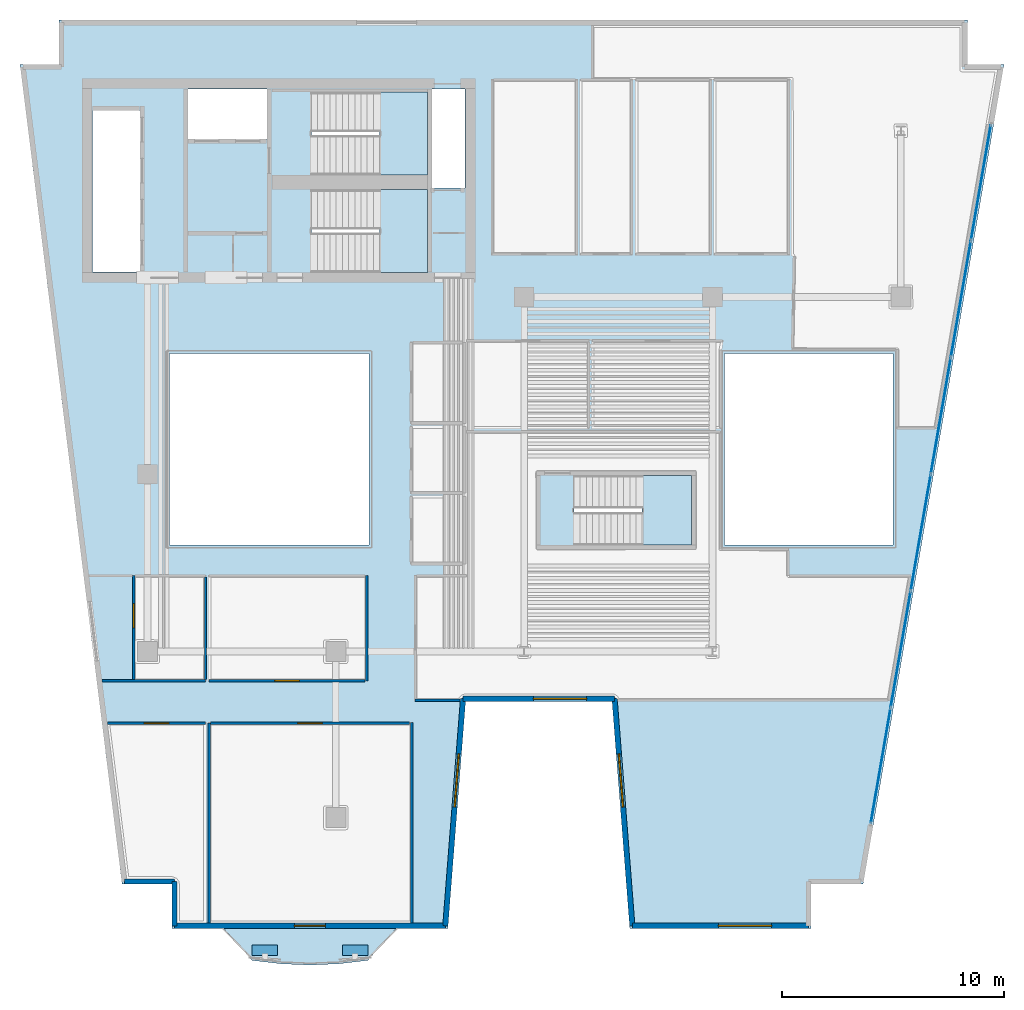
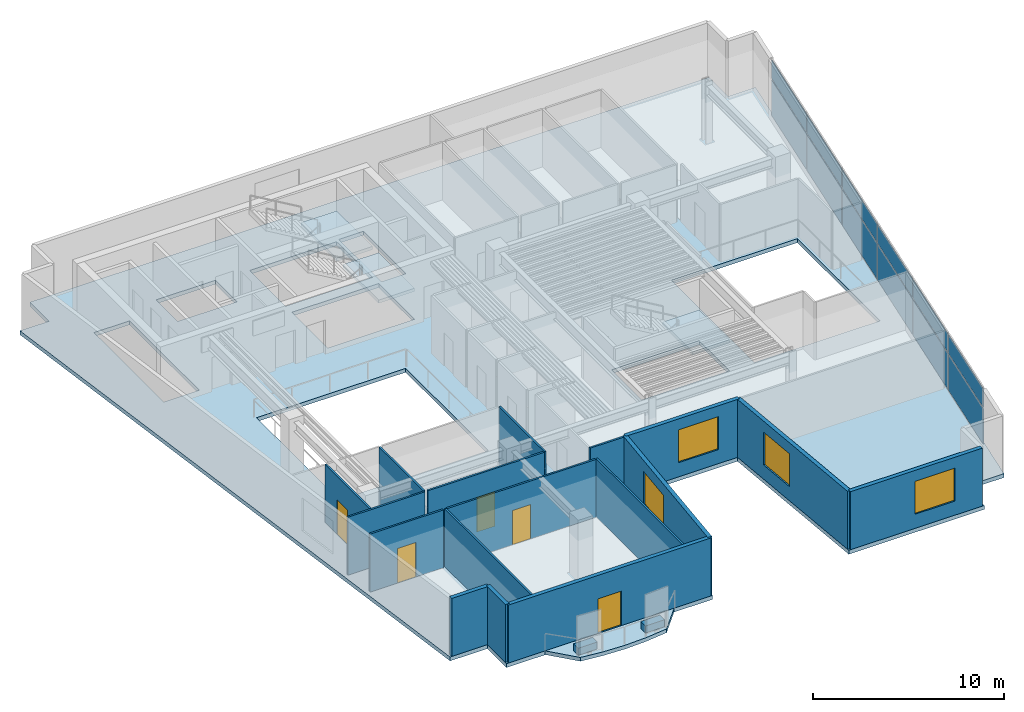
# One storey, part 3 of 9: 17 walls, 14 plates, 5 doors, 5 slabs, 4 windows, 9 openings, 4 elements without a shape of their own.
"""IFC4 building model written with IfcOpenShell, lengths in metres."""

import ifcopenshell
import ifcopenshell.guid

model = None  # the IFC model being written
_history = None  # IfcOwnerHistory: only IFC2X3 demands one
_inside = {}  # id of a spatial element -> (the spatial element, [elements in it])
_under = {}  # id of a project, library or spatial element -> (it, [spatial elements below it])
_declared = {}  # id of a project -> (the project, [libraries it declares])
_typed = {}  # id of a type object -> (the type object, [elements of that type])
_made_of = {}  # id of a material, layer set ... -> (it, [elements and type objects made of it])


def new_model(schema):
    """Start an empty IFC model of exactly this schema.

    Asked for "IFC4X3", IfcOpenShell would pick the latest addendum, in which some entities
    have other attributes; the version numbers below select the first issue.
    IFC2X3 requires an IfcOwnerHistory on every rooted entity: one is made here for all.
    """
    global model, _history
    if schema == "IFC4X3":
        model = ifcopenshell.file(schema_version=(4, 3, 0, 0))
    else:
        model = ifcopenshell.file(schema=schema)
    _inside.clear()
    _under.clear()
    _declared.clear()
    _typed.clear()
    _made_of.clear()
    _history = None
    if model.schema == "IFC2X3":
        org = make("IfcOrganization", Name="unknown")
        user = make(
            "IfcPersonAndOrganization",
            ThePerson=make("IfcPerson", FamilyName="unknown"),
            TheOrganization=org,
        )
        app = make(
            "IfcApplication",
            ApplicationDeveloper=org,
            Version="unknown",
            ApplicationFullName="unknown",
            ApplicationIdentifier="unknown",
        )
        _history = make(
            "IfcOwnerHistory",
            OwningUser=user,
            OwningApplication=app,
            ChangeAction="ADDED",
            CreationDate=0,
        )
    return model


def make(cls, **values):
    """One entity of the class cls with the attributes given. An attribute that is None is left unset."""
    return model.create_entity(
        cls, **{name: value for name, value in values.items() if value is not None}
    )


def rooted(cls, **values):
    """An entity with a GlobalId (a new one), such as an element, a storey or a relation."""
    return make(cls, GlobalId=ifcopenshell.guid.new(), OwnerHistory=_history, **values)


def si_unit(unit_type, name, prefix=None):
    """IfcSIUnit, for example si_unit("LENGTHUNIT", "METRE", prefix="MILLI")."""
    return make("IfcSIUnit", UnitType=unit_type, Prefix=prefix, Name=name)


def assignment(units):
    """IfcUnitAssignment: the units of a project."""
    return None if units is None else make("IfcUnitAssignment", Units=units)


def point(xyz):
    """IfcCartesianPoint."""
    return None if xyz is None else make("IfcCartesianPoint", Coordinates=xyz)


def direction(xyz):
    """IfcDirection."""
    return None if xyz is None else make("IfcDirection", DirectionRatios=xyz)


def frame(location, z_axis=None, x_axis=None):
    """IfcAxis2Placement3D, a coordinate frame: its origin and axes. An axis left out is left unset."""
    return make(
        "IfcAxis2Placement3D",
        Location=point(location),
        Axis=direction(z_axis),
        RefDirection=direction(x_axis),
    )


def frame_2d(location, x_axis=None):
    """IfcAxis2Placement2D, a coordinate frame in the plane: its origin and x axis."""
    return make(
        "IfcAxis2Placement2D", Location=point(location), RefDirection=direction(x_axis)
    )


def origin():
    """The frame at (0, 0, 0) with its axes left unset."""
    return frame((0.0, 0.0, 0.0))


def origin_2d():
    """The frame at (0, 0) in the plane with its x axis left unset."""
    return frame_2d((0.0, 0.0))


def place(relative_to, where):
    """IfcLocalPlacement: puts the frame where relative to a parent placement (None: the world)."""
    return make(
        "IfcLocalPlacement", PlacementRelTo=relative_to, RelativePlacement=where
    )


def context(
    kind, dimensions, precision=None, world=None, true_north=None, identifier=None
):
    """IfcGeometricRepresentationContext, for example the 3D "Model" context."""
    return make(
        "IfcGeometricRepresentationContext",
        ContextIdentifier=identifier,
        ContextType=kind,
        CoordinateSpaceDimension=dimensions,
        Precision=precision,
        WorldCoordinateSystem=world,
        TrueNorth=true_north,
    )


def subcontext(parent, identifier, kind, view, scale=None):
    """IfcGeometricRepresentationSubContext, for example "Body" below "Model"."""
    return make(
        "IfcGeometricRepresentationSubContext",
        ContextIdentifier=identifier,
        ContextType=kind,
        ParentContext=parent,
        TargetScale=scale,
        TargetView=view,
    )


def project(units=None, contexts=None):
    """IfcProject with its units and contexts."""
    return rooted(
        "IfcProject",
        Name="project",
        RepresentationContexts=contexts,
        UnitsInContext=assignment(units),
    )


def spatial(cls, under=None, at=None, **own):
    """A site, building, storey or space (cls), placed at a placement, below another one or the project."""
    s = rooted(cls, ObjectPlacement=at, **own)
    if under is not None:
        _under.setdefault(under.id(), (under, []))[1].append(s)
    return s


def polyline(points):
    """IfcPolyline through the points."""
    return make("IfcPolyline", Points=[point(p) for p in points])


def profile(cls, at=None, kind="AREA", **sizes):
    """A parametric profile (cls). Its sizes go by their IFC names, for example OverallWidth=200.0."""
    return make(cls, ProfileType=kind, Position=at, **sizes)


def rectangle(**sizes):
    """IfcRectangleProfileDef."""
    return profile("IfcRectangleProfileDef", **sizes)


def outline(outer, holes=None, kind="AREA"):
    """IfcArbitraryClosedProfileDef: a profile drawn as a closed curve; with holes, ...WithVoids."""
    if holes is None:
        return make("IfcArbitraryClosedProfileDef", ProfileType=kind, OuterCurve=outer)
    return make(
        "IfcArbitraryProfileDefWithVoids",
        ProfileType=kind,
        OuterCurve=outer,
        InnerCurves=holes,
    )


def extrude(swept, where, along, depth):
    """IfcExtrudedAreaSolid: the profile swept, set in the frame where, extruded along a direction by depth."""
    return make(
        "IfcExtrudedAreaSolid",
        SweptArea=swept,
        Position=where,
        ExtrudedDirection=direction(along),
        Depth=depth,
    )


def shape(context_of_items, identifier, shape_type, items):
    """IfcShapeRepresentation: the items that make up one representation, for example the "Body"."""
    return make(
        "IfcShapeRepresentation",
        ContextOfItems=context_of_items,
        RepresentationIdentifier=identifier,
        RepresentationType=shape_type,
        Items=items,
    )


def material(Name=None, Category=None):
    """IfcMaterial."""
    return make("IfcMaterial", Name=Name, Category=Category)


def layer(
    of_material, thickness, ventilated=None, Name=None, Category=None, Priority=None
):
    """IfcMaterialLayer: one layer of a wall or slab, of a material (None: an air gap)."""
    return make(
        "IfcMaterialLayer",
        Material=of_material,
        LayerThickness=thickness,
        IsVentilated=ventilated,
        Name=Name,
        Category=Category,
        Priority=Priority,
    )


def layer_set(layers, Name=None):
    """IfcMaterialLayerSet."""
    return make("IfcMaterialLayerSet", MaterialLayers=layers, LayerSetName=Name)


def made_of(thing, what):
    """Note that an element or type object is made of a material, layer set ...; save() writes the relation."""
    if what is not None:
        _made_of.setdefault(what.id(), (what, []))[1].append(thing)
    return thing


def type_object(cls, material=None, **own):
    """A type object (cls), such as IfcWallType, which elements share."""
    return made_of(rooted(cls, **own), material)


def element(
    cls,
    number,
    at=None,
    inside=None,
    cuts=None,
    type_object=None,
    material=None,
    context=None,
    identifier="Body",
    shape_type=None,
    held_by="IfcProductDefinitionShape",
    body=None,
    shapes=None,
    **own,
):
    """One element of the class cls, such as IfcWall. Its Tag is "e" and its number.

    at: its placement. inside: the storey or other place that contains it. cuts: it is an
    opening in that element (IfcRelVoidsElement). A single representation is given by context,
    identifier, shape_type and body (its items); several are given by shapes. held_by: the class
    of the entity that holds the representations. save() writes the other relations.
    """
    e = rooted(cls, Tag="e%d" % number, ObjectPlacement=at, **own)
    if body is not None:
        shapes = [shape(context, identifier, shape_type, body)]
    if shapes is not None:
        e.Representation = make(held_by, Representations=shapes)
    if inside is not None:
        _inside.setdefault(inside.id(), (inside, []))[1].append(e)
    if cuts is not None:
        rooted(
            "IfcRelVoidsElement", RelatingBuildingElement=cuts, RelatedOpeningElement=e
        )
    if type_object is not None:
        _typed.setdefault(type_object.id(), (type_object, []))[1].append(e)
    return made_of(e, material)


def fill(opening, filler):
    """IfcRelFillsElement: the door or window that sits in an opening."""
    return rooted(
        "IfcRelFillsElement",
        RelatingOpeningElement=opening,
        RelatedBuildingElement=filler,
    )


def aggregate(whole, parts):
    """IfcRelAggregates: a whole, such as a stair, and the parts it consists of."""
    return rooted("IfcRelAggregates", RelatingObject=whole, RelatedObjects=parts)


def save(model, path):
    """Write the relations noted so far, then the file.

    IfcRelAggregates (storeys below a building ...), IfcRelContainedInSpatialStructure (elements
    in a storey), IfcRelDefinesByType, IfcRelAssociatesMaterial and IfcRelDeclares: one each for
    every whole, place, type object, material and project.
    """
    for whole, parts in _under.values():
        aggregate(whole, parts)
    for where, things in _inside.values():
        rooted(
            "IfcRelContainedInSpatialStructure",
            RelatedElements=things,
            RelatingStructure=where,
        )
    for kind, things in _typed.values():
        rooted("IfcRelDefinesByType", RelatedObjects=things, RelatingType=kind)
    for what, things in _made_of.values():
        rooted("IfcRelAssociatesMaterial", RelatedObjects=things, RelatingMaterial=what)
    for by, libraries in _declared.values():
        rooted("IfcRelDeclares", RelatingContext=by, RelatedDefinitions=libraries)
    model.write(path)


model = new_model("IFC4")

# Units and contexts
model_context = context("Model", 3, precision=1e-05, world=origin(), true_north=direction((0.0, 1.0)))
body_context = subcontext(model_context, "Body", "Model", "MODEL_VIEW")
ifc_project = project(units=[si_unit("LENGTHUNIT", "METRE"), si_unit("AREAUNIT", "SQUARE_METRE"), si_unit("VOLUMEUNIT", "CUBIC_METRE"), si_unit("PLANEANGLEUNIT", "RADIAN"), si_unit("MASSUNIT", "GRAM", prefix="KILO")], contexts=[model_context])

# Site, building, storey
site_placement = place(None, origin())
site = spatial("IfcSite", under=ifc_project, at=site_placement, CompositionType="ELEMENT")
building_placement = place(site_placement, origin())
building = spatial("IfcBuilding", under=site, at=building_placement, Name="Caeloran Harvest Quay", CompositionType="ELEMENT")
storey_placement = place(building_placement, frame((0.0, 0.0, 207.449951171875)))
storey = spatial("IfcBuildingStorey", under=building, at=storey_placement, Name="L49", CompositionType="ELEMENT", Elevation=207.449951171875)

# Slab
ifc_material_1 = material(Name="Concrete C50/60", Category="concrete")
ifc_layer_1 = layer(ifc_material_1, 0.239990234375, Name="Concrete C50/60")
ifc_layer_set_1 = layer_set([ifc_layer_1], Name="Concrete C50/60")
slab_type_1 = type_object("IfcSlabType", Name="BALCONY-BL-240", PredefinedType="FLOOR", material=ifc_layer_set_1)
slab_1_placement = place(storey_placement, frame((0.0, 0.0, -0.239990234375)))
element("IfcSlab", 1, at=slab_1_placement, inside=storey, type_object=slab_type_1, Name="L49 Scalloped Cantilevered Planted Balcony Slab", PredefinedType="FLOOR", context=body_context, shape_type="SweptSolid", body=[
    extrude(outline(polyline([(18.442138671875, 1.060546875), (17.13818359375, 0.906982421875), (15.83447265625, 0.85107421875), (14.53076171875, 0.906982421875), (13.226806640625, 1.060546875), (11.94091796875, 2.5), (19.72802734375, 2.5), (18.442138671875, 1.060546875)])), origin(), (0.0, 0.0, 1.0), 0.239990234375),
])

# Curtain wall, plates
ifc_material_2 = material(Name="Aluminium 6063-T6 and Low-E Glazing", Category="aluminium")
ifc_layer_2 = layer(ifc_material_2, 0.2099609375, Name="Aluminium 6063-T6 and Low-E Glazing")
ifc_layer_set_2 = layer_set([ifc_layer_2], Name="Aluminium 6063-T6 and Low-E Glazing")
curtain_wall_type = type_object("IfcCurtainWallType", Name="CW-SYS-CW-4", PredefinedType="USERDEFINED", material=ifc_layer_set_2)
curtain_wall_placement = place(storey_placement, origin())
curtain_wall = element("IfcCurtainWall", 2, at=curtain_wall_placement, inside=storey, type_object=curtain_wall_type, Name="L49 Unitised Curtain Wall CW-4 Run 9", ObjectType="CURTAIN_WALL", PredefinedType="USERDEFINED")
ifc_material_3 = material(Name="Low-E Double Glazed Vision Glass Unit", Category="glass")
ifc_layer_3 = layer(ifc_material_3, 0.035888671875, Name="Low-E Double Glazed Vision Glass Unit")
ifc_layer_set_3 = layer_set([ifc_layer_3], Name="Low-E Double Glazed Vision Glass Unit")
plate_type_1 = type_object("IfcPlateType", Name="CW-VISION-PANEL", PredefinedType="CURTAIN_PANEL", material=ifc_layer_set_3)
plate_1_placement = place(storey_placement, frame((46.116943359375, 36.16162109375, 0.080078125), z_axis=(0.0, 0.0, 1.0), x_axis=(-0.169391215605, -0.985548890759, 0.0)))
plate_1 = element("IfcPlate", 3, at=plate_1_placement, type_object=plate_type_1, Name="CW-4 panel 1.1", PredefinedType="CURTAIN_PANEL", context=body_context, shape_type="SweptSolid", body=[
    extrude(rectangle(XDim=5.229736328125, YDim=0.035888671875, at=origin_2d()), origin(), (0.0, 0.0, 1.0), 2.280029296875),
])
plate_2_placement = place(storey_placement, frame((46.116943359375, 36.16162109375, 2.43994140625), z_axis=(0.0, 0.0, 1.0), x_axis=(-0.169391215605, -0.985548890759, 0.0)))
plate_2 = element("IfcPlate", 4, at=plate_2_placement, type_object=plate_type_1, Name="CW-4 panel 1.2", PredefinedType="CURTAIN_PANEL", context=body_context, shape_type="SweptSolid", body=[
    extrude(rectangle(XDim=5.229736328125, YDim=0.035888671875, at=origin_2d()), origin(), (0.0, 0.0, 1.0), 1.179931640625),
])
plate_3_placement = place(storey_placement, frame((45.214111328125, 30.90869140625, 0.080078125), z_axis=(0.0, 0.0, 1.0), x_axis=(-0.169391215605, -0.985548890759, 0.0)))
plate_3 = element("IfcPlate", 5, at=plate_3_placement, type_object=plate_type_1, Name="CW-4 panel 2.1", PredefinedType="CURTAIN_PANEL", context=body_context, shape_type="SweptSolid", body=[
    extrude(rectangle(XDim=5.269775390625, YDim=0.035888671875, at=origin_2d()), origin(), (0.0, 0.0, 1.0), 2.280029296875),
])
plate_4_placement = place(storey_placement, frame((45.214111328125, 30.90869140625, 2.43994140625), z_axis=(0.0, 0.0, 1.0), x_axis=(-0.169391215605, -0.985548890759, 0.0)))
plate_4 = element("IfcPlate", 6, at=plate_4_placement, type_object=plate_type_1, Name="CW-4 panel 2.2", PredefinedType="CURTAIN_PANEL", context=body_context, shape_type="SweptSolid", body=[
    extrude(rectangle(XDim=5.269775390625, YDim=0.035888671875, at=origin_2d()), origin(), (0.0, 0.0, 1.0), 1.179931640625),
])
plate_5_placement = place(storey_placement, frame((44.307861328125, 25.63623046875, 0.080078125), z_axis=(0.0, 0.0, 1.0), x_axis=(-0.169391215605, -0.985548890759, 0.0)))
plate_5 = element("IfcPlate", 7, at=plate_5_placement, type_object=plate_type_1, Name="CW-4 panel 3.1", PredefinedType="CURTAIN_PANEL", context=body_context, shape_type="SweptSolid", body=[
    extrude(rectangle(XDim=5.269775390625, YDim=0.035888671875, at=origin_2d()), origin(), (0.0, 0.0, 1.0), 2.280029296875),
])
plate_6_placement = place(storey_placement, frame((44.307861328125, 25.63623046875, 2.43994140625), z_axis=(0.0, 0.0, 1.0), x_axis=(-0.169391215605, -0.985548890759, 0.0)))
plate_6 = element("IfcPlate", 8, at=plate_6_placement, type_object=plate_type_1, Name="CW-4 panel 3.2", PredefinedType="CURTAIN_PANEL", context=body_context, shape_type="SweptSolid", body=[
    extrude(rectangle(XDim=5.269775390625, YDim=0.035888671875, at=origin_2d()), origin(), (0.0, 0.0, 1.0), 1.179931640625),
])
plate_7_placement = place(storey_placement, frame((43.401611328125, 20.36376953125, 0.080078125), z_axis=(0.0, 0.0, 1.0), x_axis=(-0.169391215605, -0.985548890759, 0.0)))
plate_7 = element("IfcPlate", 9, at=plate_7_placement, type_object=plate_type_1, Name="CW-4 panel 4.1", PredefinedType="CURTAIN_PANEL", context=body_context, shape_type="SweptSolid", body=[
    extrude(rectangle(XDim=5.269775390625, YDim=0.035888671875, at=origin_2d()), origin(), (0.0, 0.0, 1.0), 2.280029296875),
])
plate_8_placement = place(storey_placement, frame((43.401611328125, 20.36376953125, 2.43994140625), z_axis=(0.0, 0.0, 1.0), x_axis=(-0.169391215605, -0.985548890759, 0.0)))
plate_8 = element("IfcPlate", 10, at=plate_8_placement, type_object=plate_type_1, Name="CW-4 panel 4.2", PredefinedType="CURTAIN_PANEL", context=body_context, shape_type="SweptSolid", body=[
    extrude(rectangle(XDim=5.269775390625, YDim=0.035888671875, at=origin_2d()), origin(), (0.0, 0.0, 1.0), 1.179931640625),
])
plate_9_placement = place(storey_placement, frame((42.495361328125, 15.09130859375, 0.080078125), z_axis=(0.0, 0.0, 1.0), x_axis=(-0.169391215605, -0.985548890759, 0.0)))
plate_9 = element("IfcPlate", 11, at=plate_9_placement, type_object=plate_type_1, Name="CW-4 panel 5.1", PredefinedType="CURTAIN_PANEL", context=body_context, shape_type="SweptSolid", body=[
    extrude(rectangle(XDim=5.269775390625, YDim=0.035888671875, at=origin_2d()), origin(), (0.0, 0.0, 1.0), 2.280029296875),
])
plate_10_placement = place(storey_placement, frame((42.495361328125, 15.09130859375, 2.43994140625), z_axis=(0.0, 0.0, 1.0), x_axis=(-0.169391215605, -0.985548890759, 0.0)))
plate_10 = element("IfcPlate", 12, at=plate_10_placement, type_object=plate_type_1, Name="CW-4 panel 5.2", PredefinedType="CURTAIN_PANEL", context=body_context, shape_type="SweptSolid", body=[
    extrude(rectangle(XDim=5.269775390625, YDim=0.035888671875, at=origin_2d()), origin(), (0.0, 0.0, 1.0), 1.179931640625),
])
plate_11_placement = place(storey_placement, frame((41.592529296875, 9.83837890625, 0.080078125), z_axis=(0.0, 0.0, 1.0), x_axis=(-0.169391215605, -0.985548890759, 0.0)))
plate_11 = element("IfcPlate", 13, at=plate_11_placement, type_object=plate_type_1, Name="CW-4 panel 6.1", PredefinedType="CURTAIN_PANEL", context=body_context, shape_type="SweptSolid", body=[
    extrude(rectangle(XDim=5.229736328125, YDim=0.035888671875, at=origin_2d()), origin(), (0.0, 0.0, 1.0), 2.280029296875),
])
plate_12_placement = place(storey_placement, frame((41.592529296875, 9.83837890625, 2.43994140625), z_axis=(0.0, 0.0, 1.0), x_axis=(-0.169391215605, -0.985548890759, 0.0)))
plate_12 = element("IfcPlate", 14, at=plate_12_placement, type_object=plate_type_1, Name="CW-4 panel 6.2", PredefinedType="CURTAIN_PANEL", context=body_context, shape_type="SweptSolid", body=[
    extrude(rectangle(XDim=5.229736328125, YDim=0.035888671875, at=origin_2d()), origin(), (0.0, 0.0, 1.0), 1.179931640625),
])
aggregate(curtain_wall, [plate_1, plate_2, plate_3, plate_4, plate_5, plate_6, plate_7, plate_8, plate_9, plate_10, plate_11, plate_12])

# Plates
ifc_material_4 = material(Name="Precast concrete C50/60", Category="concrete")
ifc_layer_4 = layer(ifc_material_4, 0.449951171875, Name="Precast concrete C50/60")
ifc_layer_set_4 = layer_set([ifc_layer_4], Name="Precast concrete C50/60")
plate_type_2 = type_object("IfcPlateType", Name="PLANTER-TROUGH-450", PredefinedType="USERDEFINED", material=ifc_layer_set_4)
for number, where, z_axis, x_axis, name in (
    (15, (17.868408203125, 1.523193359375, 0.0), (0.0, 0.0, 1.0), (1.0, 0.0, 0.0), "L49 Balcony Vertical-Greenery Precast PLANTER Trough 1"),
    (16, (13.800537109375, 1.523193359375, 0.0), (0.0, 0.0, 1.0), (1.0, 0.0, 0.0), "L49 Balcony Vertical-Greenery Precast PLANTER Trough 2"),
):
    element("IfcPlate", number, at=place(storey_placement, frame(where, z_axis=z_axis, x_axis=x_axis)), inside=storey, type_object=plate_type_2, Name=name, ObjectType="PLANTER", PredefinedType="USERDEFINED", context=body_context, shape_type="SweptSolid", body=[
        extrude(rectangle(XDim=1.14990234375, YDim=0.47998046875, at=origin_2d()), origin(), (0.0, 0.0, 1.0), 0.449951171875),
    ])

# Slab
ifc_layer_5 = layer(ifc_material_1, 0.25, Name="Concrete C50/60")
ifc_layer_set_5 = layer_set([ifc_layer_5], Name="Concrete C50/60")
slab_type_2 = type_object("IfcSlabType", Name="SLAB-FS-250", PredefinedType="FLOOR", material=ifc_layer_set_5)
slab_2_placement = place(storey_placement, frame((0.0, 0.0, -0.25)))
element("IfcSlab", 17, at=slab_2_placement, inside=storey, type_object=slab_type_2, Name="L49 Structural Floor Slab", PredefinedType="FLOOR", context=body_context, shape_type="SweptSolid", body=[
    extrude(outline(polyline([(9.60302734375, 2.5), (22.056884765625, 2.5), (22.85693359375, 12.75), (29.469482421875, 12.75), (30.26953125, 2.5), (38.452880859375, 2.5), (38.452880859375, 4.5), (40.796875, 4.5), (47.15625, 41.5), (45.5, 41.5), (45.5, 43.5), (4.5, 43.5), (4.5, 41.5), (2.748779296875, 41.5), (7.35400390625, 4.5), (9.60302734375, 4.5), (9.60302734375, 2.5)]), holes=[polyline([(27.75, 19.800048828125), (27.75, 22.949951171875), (33.050048828125, 22.949951171875), (33.050048828125, 19.800048828125), (27.75, 19.800048828125)]), polyline([(18.5, 19.800048828125), (9.5, 19.800048828125), (9.5, 28.449951171875), (18.5, 28.449951171875), (18.5, 19.800048828125)]), polyline([(42.14990234375, 19.800048828125), (34.550048828125, 19.800048828125), (34.550048828125, 28.449951171875), (42.14990234375, 28.449951171875), (42.14990234375, 19.800048828125)]), polyline([(15.89990234375, 32.10009765625), (15.89990234375, 35.85009765625), (21.14990234375, 35.85009765625), (21.14990234375, 32.10009765625), (15.89990234375, 32.10009765625)]), polyline([(8.159912109375, 32.1201171875), (6.02001953125, 32.1201171875), (6.02001953125, 39.419921875), (8.159912109375, 39.419921875), (8.159912109375, 32.1201171875)]), polyline([(22.830078125, 35.919921875), (21.35009765625, 35.919921875), (21.35009765625, 40.3798828125), (22.830078125, 40.3798828125), (22.830078125, 35.919921875)]), polyline([(15.89990234375, 36.5), (15.89990234375, 40.25), (21.14990234375, 40.25), (21.14990234375, 36.5), (15.89990234375, 36.5)]), polyline([(13.89990234375, 38.1201171875), (10.320068359375, 38.1201171875), (10.320068359375, 40.3798828125), (13.89990234375, 40.3798828125), (13.89990234375, 38.1201171875)])]), origin(), (0.0, 0.0, 1.0), 0.25),
])

# Stair, slab
stair_type_1 = type_object("IfcStairType", Name="STAIR-STC-180", PredefinedType="HALF_TURN_STAIR", material=ifc_material_1)
stair_1_placement = place(storey_placement, origin())
stair_1 = element("IfcStair", 18, at=stair_1_placement, inside=storey, type_object=stair_type_1, Name="L49 Core Pressurized Exit Stair ST-C1", PredefinedType="HALF_TURN_STAIR")
ifc_layer_6 = layer(ifc_material_1, 0.219970703125, Name="Concrete C50/60")
ifc_layer_set_6 = layer_set([ifc_layer_6], Name="Concrete C50/60")
slab_type_3 = type_object("IfcSlabType", Name="STAIR-LANDING-220", PredefinedType="LANDING", material=ifc_layer_set_6)
slab_3_placement = place(storey_placement, frame((0.0, 0.0, 1.775146484375)))
slab_3 = element("IfcSlab", 19, at=slab_3_placement, type_object=slab_type_3, Name="ST-C1 landing 1", PredefinedType="LANDING", context=body_context, shape_type="SweptSolid", body=[
    extrude(outline(polyline([(18.97998046875, 36.5), (21.14990234375, 36.5), (21.14990234375, 40.25), (18.97998046875, 40.25), (18.97998046875, 36.5)])), origin(), (0.0, 0.0, 1.0), 0.199951171875),
])
aggregate(stair_1, [slab_3])

stair_2_placement = place(storey_placement, origin())
stair_2 = element("IfcStair", 20, at=stair_2_placement, inside=storey, type_object=stair_type_1, Name="L49 Core Pressurized Exit Stair ST-C2", PredefinedType="HALF_TURN_STAIR")
slab_4_placement = place(storey_placement, frame((0.0, 0.0, 1.775146484375)))
slab_4 = element("IfcSlab", 21, at=slab_4_placement, type_object=slab_type_3, Name="ST-C2 landing 1", PredefinedType="LANDING", context=body_context, shape_type="SweptSolid", body=[
    extrude(outline(polyline([(18.97998046875, 32.10009765625), (21.14990234375, 32.10009765625), (21.14990234375, 35.85009765625), (18.97998046875, 35.85009765625), (18.97998046875, 32.10009765625)])), origin(), (0.0, 0.0, 1.0), 0.199951171875),
])
aggregate(stair_2, [slab_4])

stair_type_2 = type_object("IfcStairType", Name="STAIR-STW-150", PredefinedType="HALF_TURN_STAIR", material=ifc_material_1)
stair_3_placement = place(storey_placement, origin())
stair_3 = element("IfcStair", 22, at=stair_3_placement, inside=storey, type_object=stair_type_2, Name="L49 East Wing Protected Exit Stair ST-W1", PredefinedType="HALF_TURN_STAIR")
slab_5_placement = place(storey_placement, frame((0.0, 0.0, 1.775146484375)))
slab_5 = element("IfcSlab", 23, at=slab_5_placement, type_object=slab_type_3, Name="ST-W1 landing 1", PredefinedType="LANDING", context=body_context, shape_type="SweptSolid", body=[
    extrude(outline(polyline([(30.830078125, 19.800048828125), (33.050048828125, 19.800048828125), (33.050048828125, 22.949951171875), (30.830078125, 22.949951171875), (30.830078125, 19.800048828125)])), origin(), (0.0, 0.0, 1.0), 0.199951171875),
])
aggregate(stair_3, [slab_5])

# Walls
ifc_layer_7 = layer(ifc_material_4, 0.239990234375, Name="Precast concrete C50/60")
ifc_layer_set_7 = layer_set([ifc_layer_7], Name="Precast concrete C50/60")
wall_type_1 = type_object("IfcWallType", Name="ENV-WALL-EW-240", PredefinedType="STANDARD", material=ifc_layer_set_7)
wall_1_placement = place(storey_placement, frame((9.722900390625, 2.6201171875, 0.0), z_axis=(0.0, 0.0, 1.0), x_axis=(0.0, 1.0, 0.0)))
element("IfcWall", 24, at=wall_1_placement, inside=storey, type_object=wall_type_1, Name="L49 Exterior Precast Concrete Facade Wall 1", PredefinedType="STANDARD", context=body_context, shape_type="SweptSolid", body=[
    extrude(rectangle(XDim=2.0, YDim=0.239990234375, at=frame_2d((1.0, 0.0))), origin(), (0.0, 0.0, 1.0), 3.699951171875),
])
wall_2_placement = place(storey_placement, frame((9.722900390625, 4.6201171875, 0.0), z_axis=(0.0, 0.0, 1.0), x_axis=(-1.0, 0.0, 0.0)))
element("IfcWall", 25, at=wall_2_placement, inside=storey, type_object=wall_type_1, Name="L49 Exterior Precast Concrete Facade Wall 2", PredefinedType="STANDARD", context=body_context, shape_type="SweptSolid", body=[
    extrude(rectangle(XDim=2.2626953125, YDim=0.239990234375, at=frame_2d((1.13134765625, 0.0))), origin(), (0.0, 0.0, 1.0), 3.699951171875),
])

# Wall, opening, window
wall_3_placement = place(storey_placement, frame((38.3330078125, 2.6201171875, 0.0), z_axis=(0.0, 0.0, 1.0), x_axis=(-1.0, 0.0, 0.0)))
wall_3 = element("IfcWall", 26, at=wall_3_placement, inside=storey, type_object=wall_type_1, Name="L49 Exterior Precast Concrete Facade Wall 12", PredefinedType="STANDARD", context=body_context, shape_type="SweptSolid", body=[
    extrude(rectangle(XDim=7.952392578125, YDim=0.239990234375, at=frame_2d((3.97607421875, 0.0))), origin(), (0.0, 0.0, 1.0), 3.699951171875),
])
opening_1_placement = place(wall_3_placement, frame((1.6630859375, 0.0, 0.89990234375)))
opening_1 = element("IfcOpeningElement", 27, at=opening_1_placement, cuts=wall_3, Name="Opening W-02", PredefinedType="OPENING", context=body_context, shape_type="SweptSolid", body=[
    extrude(rectangle(XDim=2.39990234375, YDim=2.10009765625, at=frame_2d((1.199951171875, 1.050048828125))), frame((0.0, 0.1298828125, 0.0), z_axis=(0.0, -1.0, 0.0), x_axis=(1.0, 0.0, 0.0)), (0.0, 0.0, 1.0), 0.260009765625),
])
ifc_material_5 = material(Name="Aluminium-Framed Low-E Laminated Glass", Category="aluminium")
window_type = type_object("IfcWindowType", Name="WIN-W-02", PartitioningType="DOUBLE_PANEL_VERTICAL", PredefinedType="WINDOW", material=ifc_material_5)
window_1_placement = place(opening_1_placement, origin())
window_1 = element("IfcWindow", 28, at=window_1_placement, inside=storey, type_object=window_type, Name="L49 Facade Punched Window W-02", OverallHeight=2.10009765625, OverallWidth=2.39990234375, PartitioningType="DOUBLE_PANEL_VERTICAL", PredefinedType="WINDOW", context=body_context, shape_type="SweptSolid", body=[
    extrude(rectangle(XDim=2.39990234375, YDim=2.10009765625, at=frame_2d((1.199951171875, 1.050048828125))), frame((0.0, 0.030029296875, 0.0), z_axis=(0.0, -1.0, 0.0), x_axis=(1.0, 0.0, 0.0)), (0.0, 0.0, 1.0), 0.06005859375),
])
fill(opening_1, window_1)

wall_4_placement = place(storey_placement, frame((30.380615234375, 2.6201171875, 0.0), z_axis=(0.0, 0.0, 1.0), x_axis=(-0.077816860153, 0.996967670627, 0.0)))
wall_4 = element("IfcWall", 29, at=wall_4_placement, inside=storey, type_object=wall_type_1, Name="L49 Exterior Precast Concrete Facade Wall 13", PredefinedType="STANDARD", context=body_context, shape_type="SweptSolid", body=[
    extrude(rectangle(XDim=10.28125, YDim=0.239990234375, at=frame_2d((5.140625, 0.0))), origin(), (0.0, 0.0, 1.0), 3.699951171875),
])
opening_2_placement = place(wall_4_placement, frame((5.3798828125, 0.0, 0.89990234375)))
opening_2 = element("IfcOpeningElement", 30, at=opening_2_placement, cuts=wall_4, Name="Opening W-02", PredefinedType="OPENING", context=body_context, shape_type="SweptSolid", body=[
    extrude(rectangle(XDim=2.39990234375, YDim=2.10009765625, at=frame_2d((1.199951171875, 1.050048828125))), frame((0.0, 0.1298828125, 0.0), z_axis=(0.0, -1.0, 0.0), x_axis=(1.0, 0.0, 0.0)), (0.0, 0.0, 1.0), 0.260009765625),
])
window_2_placement = place(opening_2_placement, origin())
window_2 = element("IfcWindow", 31, at=window_2_placement, inside=storey, type_object=window_type, Name="L49 Facade Punched Window W-02", OverallHeight=2.10009765625, OverallWidth=2.39990234375, PartitioningType="DOUBLE_PANEL_VERTICAL", PredefinedType="WINDOW", context=body_context, shape_type="SweptSolid", body=[
    extrude(rectangle(XDim=2.39990234375, YDim=2.10009765625, at=frame_2d((1.199951171875, 1.050048828125))), frame((0.0, 0.030029296875, 0.0), z_axis=(0.0, -1.0, 0.0), x_axis=(1.0, 0.0, 0.0)), (0.0, 0.0, 1.0), 0.06005859375),
])
fill(opening_2, window_2)

wall_5_placement = place(storey_placement, frame((29.58056640625, 12.8701171875, 0.0), z_axis=(0.0, 0.0, 1.0), x_axis=(-1.0, 0.0, 0.0)))
wall_5 = element("IfcWall", 32, at=wall_5_placement, inside=storey, type_object=wall_type_1, Name="L49 Exterior Precast Concrete Facade Wall 14", PredefinedType="STANDARD", context=body_context, shape_type="SweptSolid", body=[
    extrude(rectangle(XDim=6.83447265625, YDim=0.239990234375, at=frame_2d((3.417236328125, 0.0))), origin(), (0.0, 0.0, 1.0), 3.699951171875),
])
opening_3_placement = place(wall_5_placement, frame((1.260009765625, 0.0, 0.89990234375)))
opening_3 = element("IfcOpeningElement", 33, at=opening_3_placement, cuts=wall_5, Name="Opening W-02", PredefinedType="OPENING", context=body_context, shape_type="SweptSolid", body=[
    extrude(rectangle(XDim=2.39990234375, YDim=2.10009765625, at=frame_2d((1.199951171875, 1.050048828125))), frame((0.0, 0.1298828125, 0.0), z_axis=(0.0, -1.0, 0.0), x_axis=(1.0, 0.0, 0.0)), (0.0, 0.0, 1.0), 0.260009765625),
])
window_3_placement = place(opening_3_placement, origin())
window_3 = element("IfcWindow", 34, at=window_3_placement, inside=storey, type_object=window_type, Name="L49 Facade Punched Window W-02", OverallHeight=2.10009765625, OverallWidth=2.39990234375, PartitioningType="DOUBLE_PANEL_VERTICAL", PredefinedType="WINDOW", context=body_context, shape_type="SweptSolid", body=[
    extrude(rectangle(XDim=2.39990234375, YDim=2.10009765625, at=frame_2d((1.199951171875, 1.050048828125))), frame((0.0, 0.030029296875, 0.0), z_axis=(0.0, -1.0, 0.0), x_axis=(1.0, 0.0, 0.0)), (0.0, 0.0, 1.0), 0.06005859375),
])
fill(opening_3, window_3)

wall_6_placement = place(storey_placement, frame((22.74609375, 12.8701171875, 0.0), z_axis=(0.0, 0.0, 1.0), x_axis=(-0.077816860153, -0.996967670627, 0.0)))
wall_6 = element("IfcWall", 35, at=wall_6_placement, inside=storey, type_object=wall_type_1, Name="L49 Exterior Precast Concrete Facade Wall 15", PredefinedType="STANDARD", context=body_context, shape_type="SweptSolid", body=[
    extrude(rectangle(XDim=10.28125, YDim=0.239990234375, at=frame_2d((5.140625, 0.0))), origin(), (0.0, 0.0, 1.0), 3.699951171875),
])
opening_4_placement = place(wall_6_placement, frame((2.5009765625, 0.0, 0.89990234375)))
opening_4 = element("IfcOpeningElement", 36, at=opening_4_placement, cuts=wall_6, Name="Opening W-02", PredefinedType="OPENING", context=body_context, shape_type="SweptSolid", body=[
    extrude(rectangle(XDim=2.39990234375, YDim=2.10009765625, at=frame_2d((1.199951171875, 1.050048828125))), frame((0.0, 0.1298828125, 0.0), z_axis=(0.0, -1.0, 0.0), x_axis=(1.0, 0.0, 0.0)), (0.0, 0.0, 1.0), 0.260009765625),
])
window_4_placement = place(opening_4_placement, origin())
window_4 = element("IfcWindow", 37, at=window_4_placement, inside=storey, type_object=window_type, Name="L49 Facade Punched Window W-02", OverallHeight=2.10009765625, OverallWidth=2.39990234375, PartitioningType="DOUBLE_PANEL_VERTICAL", PredefinedType="WINDOW", context=body_context, shape_type="SweptSolid", body=[
    extrude(rectangle(XDim=2.39990234375, YDim=2.10009765625, at=frame_2d((1.199951171875, 1.050048828125))), frame((0.0, 0.030029296875, 0.0), z_axis=(0.0, -1.0, 0.0), x_axis=(1.0, 0.0, 0.0)), (0.0, 0.0, 1.0), 0.06005859375),
])
fill(opening_4, window_4)

# Wall, opening, door
wall_7_placement = place(storey_placement, frame((21.946044921875, 2.6201171875, 0.0), z_axis=(0.0, 0.0, 1.0), x_axis=(-1.0, 0.0, 0.0)))
wall_7 = element("IfcWall", 38, at=wall_7_placement, inside=storey, type_object=wall_type_1, Name="L49 Exterior Precast Concrete Facade Wall 16", PredefinedType="STANDARD", context=body_context, shape_type="SweptSolid", body=[
    extrude(rectangle(XDim=12.22314453125, YDim=0.239990234375, at=frame_2d((6.111572265625, 0.0))), origin(), (0.0, 0.0, 1.0), 3.699951171875),
])
opening_5_placement = place(wall_7_placement, frame((5.410888671875, 0.0, 0.0)))
opening_5 = element("IfcOpeningElement", 39, at=opening_5_placement, cuts=wall_7, Name="Opening BD-02", PredefinedType="OPENING", context=body_context, shape_type="SweptSolid", body=[
    extrude(rectangle(XDim=1.39990234375, YDim=2.199951171875, at=frame_2d((0.699951171875, 1.10009765625))), frame((0.0, 0.1298828125, 0.0), z_axis=(0.0, -1.0, 0.0), x_axis=(1.0, 0.0, 0.0)), (0.0, 0.0, 1.0), 0.260009765625),
])
ifc_material_6 = material(Name="Thermally Broken Powder-Coated Aluminium and Safety Glass", Category="aluminium")
door_type_1 = type_object("IfcDoorType", Name="EXTDOOR-BD-02", OperationType="NOTDEFINED", PredefinedType="DOOR", material=ifc_material_6)
door_1_placement = place(opening_5_placement, origin())
door_1 = element("IfcDoor", 40, at=door_1_placement, inside=storey, type_object=door_type_1, Name="L49 Planted Balcony Glazed Access Door", OperationType="SINGLE_SWING_RIGHT", OverallHeight=2.199951171875, OverallWidth=1.39990234375, PredefinedType="DOOR", context=body_context, shape_type="SweptSolid", body=[
    extrude(rectangle(XDim=1.39990234375, YDim=2.199951171875, at=frame_2d((0.699951171875, 1.10009765625))), frame((0.0, 0.02490234375, 0.0), z_axis=(0.0, -1.0, 0.0), x_axis=(1.0, 0.0, 0.0)), (0.0, 0.0, 1.0), 0.050048828125),
])
fill(opening_5, door_1)

# Wall
ifc_material_7 = material(Name="Single-Stud Acoustic Gypsum Office Partition", Category="gypsum")
ifc_layer_8 = layer(ifc_material_7, 0.112060546875, Name="Single-Stud Acoustic Gypsum Office Partition")
ifc_layer_set_8 = layer_set([ifc_layer_8], Name="Single-Stud Acoustic Gypsum Office Partition")
wall_type_2 = type_object("IfcWallType", Name="INT-WALL-PW-112", PredefinedType="PARTITIONING", material=ifc_layer_set_8)
wall_8_placement = place(storey_placement, frame((11.280029296875, 2.7451171875, 0.0), z_axis=(0.0, 0.0, 1.0), x_axis=(0.0, 1.0, 0.0)))
element("IfcWall", 41, at=wall_8_placement, inside=storey, type_object=wall_type_2, Name="Food-Security Culinary Kitchen Partition Wall", PredefinedType="PARTITIONING", context=body_context, shape_type="SweptSolid", body=[
    extrude(rectangle(XDim=9.02490234375, YDim=0.112060546875, at=frame_2d((4.512451171875, 0.0))), origin(), (0.0, 0.0, 1.0), 3.699951171875),
])

# Wall, opening, door
wall_9_placement = place(storey_placement, frame((11.341064453125, 11.77001953125, 0.0), z_axis=(0.0, 0.0, 1.0), x_axis=(1.0, 0.0, 0.0)))
wall_9 = element("IfcWall", 42, at=wall_9_placement, inside=storey, type_object=wall_type_2, Name="Food-Security Culinary Kitchen Partition Wall", PredefinedType="PARTITIONING", context=body_context, shape_type="SweptSolid", body=[
    extrude(rectangle(XDim=8.97900390625, YDim=0.112060546875, at=frame_2d((4.489501953125, 0.0))), origin(), (0.0, 0.0, 1.0), 3.699951171875),
])
opening_6_placement = place(wall_9_placement, frame((3.939453125, 0.0, 0.0)))
opening_6 = element("IfcOpeningElement", 43, at=opening_6_placement, cuts=wall_9, Name="Opening ID-04", PredefinedType="OPENING", context=body_context, shape_type="SweptSolid", body=[
    extrude(rectangle(XDim=1.10009765625, YDim=2.199951171875, at=frame_2d((0.550048828125, 1.10009765625))), frame((0.0, 0.06591796875, 0.0), z_axis=(0.0, -1.0, 0.0), x_axis=(1.0, 0.0, 0.0)), (0.0, 0.0, 1.0), 0.132080078125),
])
ifc_material_8 = material(Name="Acoustic Walnut Veneer Executive Door", Category="wood")
door_type_2 = type_object("IfcDoorType", Name="INTDOOR-ID-04", OperationType="NOTDEFINED", PredefinedType="DOOR", material=ifc_material_8)
door_2_placement = place(opening_6_placement, origin())
door_2 = element("IfcDoor", 44, at=door_2_placement, inside=storey, type_object=door_type_2, Name="Food-Security Culinary Kitchen Access Door", OperationType="SINGLE_SWING_LEFT", OverallHeight=2.199951171875, OverallWidth=1.10009765625, PredefinedType="DOOR", context=body_context, shape_type="SweptSolid", body=[
    extrude(rectangle(XDim=1.10009765625, YDim=2.199951171875, at=frame_2d((0.550048828125, 1.10009765625))), frame((0.0, 0.02490234375, 0.0), z_axis=(0.0, -1.0, 0.0), x_axis=(1.0, 0.0, 0.0)), (0.0, 0.0, 1.0), 0.050048828125),
])
fill(opening_6, door_2)

# Wall
wall_10_placement = place(storey_placement, frame((20.419921875, 11.7900390625, 0.0), z_axis=(0.0, 0.0, 1.0), x_axis=(0.0, -1.0, 0.0)))
element("IfcWall", 45, at=wall_10_placement, inside=storey, type_object=wall_type_2, Name="Food-Security Culinary Kitchen Partition Wall", PredefinedType="PARTITIONING", context=body_context, shape_type="SweptSolid", body=[
    extrude(rectangle(XDim=9.044921875, YDim=0.112060546875, at=frame_2d((4.5224609375, 0.0))), origin(), (0.0, 0.0, 1.0), 3.699951171875),
])

# Wall, opening, door
wall_11_placement = place(storey_placement, frame((6.696044921875, 11.77001953125, 0.0), z_axis=(0.0, 0.0, 1.0), x_axis=(1.0, 0.0, 0.0)))
wall_11 = element("IfcWall", 46, at=wall_11_placement, inside=storey, type_object=wall_type_2, Name="Policy Seminar Meeting Hall Partition Wall", PredefinedType="PARTITIONING", context=body_context, shape_type="SweptSolid", body=[
    extrude(rectangle(XDim=4.424072265625, YDim=0.112060546875, at=frame_2d((2.2119140625, 0.0))), origin(), (0.0, 0.0, 1.0), 3.699951171875),
])
opening_7_placement = place(wall_11_placement, frame((1.661865234375, 0.0, 0.0)))
opening_7 = element("IfcOpeningElement", 47, at=opening_7_placement, cuts=wall_11, Name="Opening ID-04", PredefinedType="OPENING", context=body_context, shape_type="SweptSolid", body=[
    extrude(rectangle(XDim=1.10009765625, YDim=2.199951171875, at=frame_2d((0.550048828125, 1.10009765625))), frame((0.0, 0.06591796875, 0.0), z_axis=(0.0, -1.0, 0.0), x_axis=(1.0, 0.0, 0.0)), (0.0, 0.0, 1.0), 0.132080078125),
])
door_3_placement = place(opening_7_placement, origin())
door_3 = element("IfcDoor", 48, at=door_3_placement, inside=storey, type_object=door_type_2, Name="Policy Seminar Meeting Hall Access Door", OperationType="SINGLE_SWING_RIGHT", OverallHeight=2.199951171875, OverallWidth=1.10009765625, PredefinedType="DOOR", context=body_context, shape_type="SweptSolid", body=[
    extrude(rectangle(XDim=1.10009765625, YDim=2.199951171875, at=frame_2d((0.550048828125, 1.10009765625))), frame((0.0, 0.02490234375, 0.0), z_axis=(0.0, -1.0, 0.0), x_axis=(1.0, 0.0, 0.0)), (0.0, 0.0, 1.0), 0.050048828125),
])
fill(opening_7, door_3)

# Wall
wall_12_placement = place(storey_placement, frame((11.1201171875, 13.679931640625, 0.0), z_axis=(0.0, 0.0, 1.0), x_axis=(-1.0, 0.0, 0.0)))
element("IfcWall", 49, at=wall_12_placement, inside=storey, type_object=wall_type_2, Name="Econometric Wet Laboratory Partition Wall", PredefinedType="PARTITIONING", context=body_context, shape_type="SweptSolid", body=[
    extrude(rectangle(XDim=4.66162109375, YDim=0.112060546875, at=frame_2d((2.330810546875, 0.0))), origin(), (0.0, 0.0, 1.0), 3.699951171875),
])

# Wall, opening, door
wall_13_placement = place(storey_placement, frame((7.8798828125, 13.740966796875, 0.0), z_axis=(0.0, 0.0, 1.0), x_axis=(0.0, 1.0, 0.0)))
wall_13 = element("IfcWall", 50, at=wall_13_placement, inside=storey, type_object=wall_type_2, Name="Econometric Wet Laboratory Partition Wall", PredefinedType="PARTITIONING", context=body_context, shape_type="SweptSolid", body=[
    extrude(rectangle(XDim=4.678955078125, YDim=0.112060546875, at=frame_2d((2.33935546875, 0.0))), origin(), (0.0, 0.0, 1.0), 3.699951171875),
])
opening_8_placement = place(wall_13_placement, frame((2.32373046875, 0.0, 0.0)))
opening_8 = element("IfcOpeningElement", 51, at=opening_8_placement, cuts=wall_13, Name="Opening ID-04", PredefinedType="OPENING", context=body_context, shape_type="SweptSolid", body=[
    extrude(rectangle(XDim=1.10009765625, YDim=2.199951171875, at=frame_2d((0.550048828125, 1.10009765625))), frame((0.0, 0.06591796875, 0.0), z_axis=(0.0, -1.0, 0.0), x_axis=(1.0, 0.0, 0.0)), (0.0, 0.0, 1.0), 0.132080078125),
])
door_4_placement = place(opening_8_placement, origin())
door_4 = element("IfcDoor", 52, at=door_4_placement, inside=storey, type_object=door_type_2, Name="Econometric Wet Laboratory Access Door", OperationType="SINGLE_SWING_LEFT", OverallHeight=2.199951171875, OverallWidth=1.10009765625, PredefinedType="DOOR", context=body_context, shape_type="SweptSolid", body=[
    extrude(rectangle(XDim=1.10009765625, YDim=2.199951171875, at=frame_2d((0.550048828125, 1.10009765625))), frame((0.0, 0.02490234375, 0.0), z_axis=(0.0, -1.0, 0.0), x_axis=(1.0, 0.0, 0.0)), (0.0, 0.0, 1.0), 0.050048828125),
])
fill(opening_8, door_4)

# Walls
wall_14_placement = place(storey_placement, frame((11.1201171875, 18.35888671875, 0.0), z_axis=(0.0, 0.0, 1.0), x_axis=(0.0, -1.0, 0.0)))
element("IfcWall", 53, at=wall_14_placement, inside=storey, type_object=wall_type_2, Name="Econometric Wet Laboratory Partition Wall", PredefinedType="PARTITIONING", context=body_context, shape_type="SweptSolid", body=[
    extrude(rectangle(XDim=4.617919921875, YDim=0.112060546875, at=frame_2d((2.30908203125, 0.0))), origin(), (0.0, 0.0, 1.0), 3.699951171875),
])
wall_15_placement = place(storey_placement, frame((18.389892578125, 18.419921875, 0.0), z_axis=(0.0, 0.0, 1.0), x_axis=(0.0, -1.0, 0.0)))
element("IfcWall", 54, at=wall_15_placement, inside=storey, type_object=wall_type_2, Name="Fellows Tasting Kitchen Partition Wall", PredefinedType="PARTITIONING", context=body_context, shape_type="SweptSolid", body=[
    extrude(rectangle(XDim=4.739990234375, YDim=0.112060546875, at=frame_2d((2.3701171875, 0.0))), origin(), (0.0, 0.0, 1.0), 3.699951171875),
])

# Wall, opening, door
wall_16_placement = place(storey_placement, frame((18.3291015625, 13.679931640625, 0.0), z_axis=(0.0, 0.0, 1.0), x_axis=(-1.0, 0.0, 0.0)))
wall_16 = element("IfcWall", 55, at=wall_16_placement, inside=storey, type_object=wall_type_2, Name="Fellows Tasting Kitchen Partition Wall", PredefinedType="PARTITIONING", context=body_context, shape_type="SweptSolid", body=[
    extrude(rectangle(XDim=7.049072265625, YDim=0.112060546875, at=frame_2d((3.5244140625, 0.0))), origin(), (0.0, 0.0, 1.0), 3.699951171875),
])
opening_9_placement = place(wall_16_placement, frame((2.974609375, 0.0, 0.0)))
opening_9 = element("IfcOpeningElement", 56, at=opening_9_placement, cuts=wall_16, Name="Opening ID-04", PredefinedType="OPENING", context=body_context, shape_type="SweptSolid", body=[
    extrude(rectangle(XDim=1.10009765625, YDim=2.199951171875, at=frame_2d((0.550048828125, 1.10009765625))), frame((0.0, 0.06591796875, 0.0), z_axis=(0.0, -1.0, 0.0), x_axis=(1.0, 0.0, 0.0)), (0.0, 0.0, 1.0), 0.132080078125),
])
door_5_placement = place(opening_9_placement, origin())
door_5 = element("IfcDoor", 57, at=door_5_placement, inside=storey, type_object=door_type_2, Name="Fellows Tasting Kitchen Access Door", OperationType="SINGLE_SWING_RIGHT", OverallHeight=2.199951171875, OverallWidth=1.10009765625, PredefinedType="DOOR", context=body_context, shape_type="SweptSolid", body=[
    extrude(rectangle(XDim=1.10009765625, YDim=2.199951171875, at=frame_2d((0.550048828125, 1.10009765625))), frame((0.0, 0.02490234375, 0.0), z_axis=(0.0, -1.0, 0.0), x_axis=(1.0, 0.0, 0.0)), (0.0, 0.0, 1.0), 0.050048828125),
])
fill(opening_9, door_5)

# Wall
wall_17_placement = place(storey_placement, frame((22.615234375, 12.800048828125, 0.0), z_axis=(0.0, 0.0, 1.0), x_axis=(-1.0, 0.0, 0.0)))
element("IfcWall", 58, at=wall_17_placement, inside=storey, type_object=wall_type_2, Name="Roundtable Conference Room Partition Wall", PredefinedType="PARTITIONING", context=body_context, shape_type="SweptSolid", body=[
    extrude(rectangle(XDim=2.03515625, YDim=0.112060546875, at=frame_2d((1.017578125, 0.0))), origin(), (0.0, 0.0, 1.0), 3.699951171875),
])

save(model, "model.ifc")
